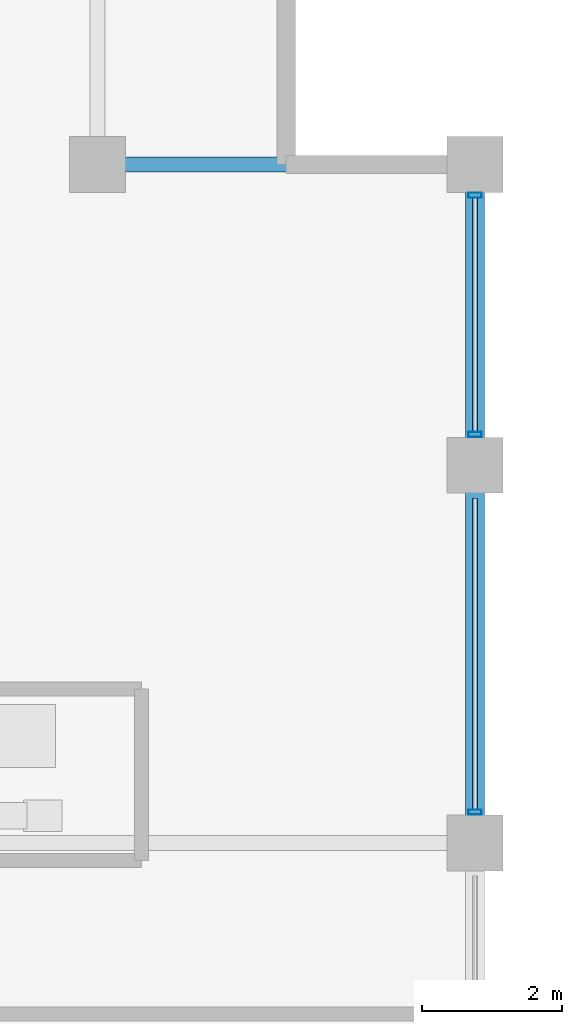
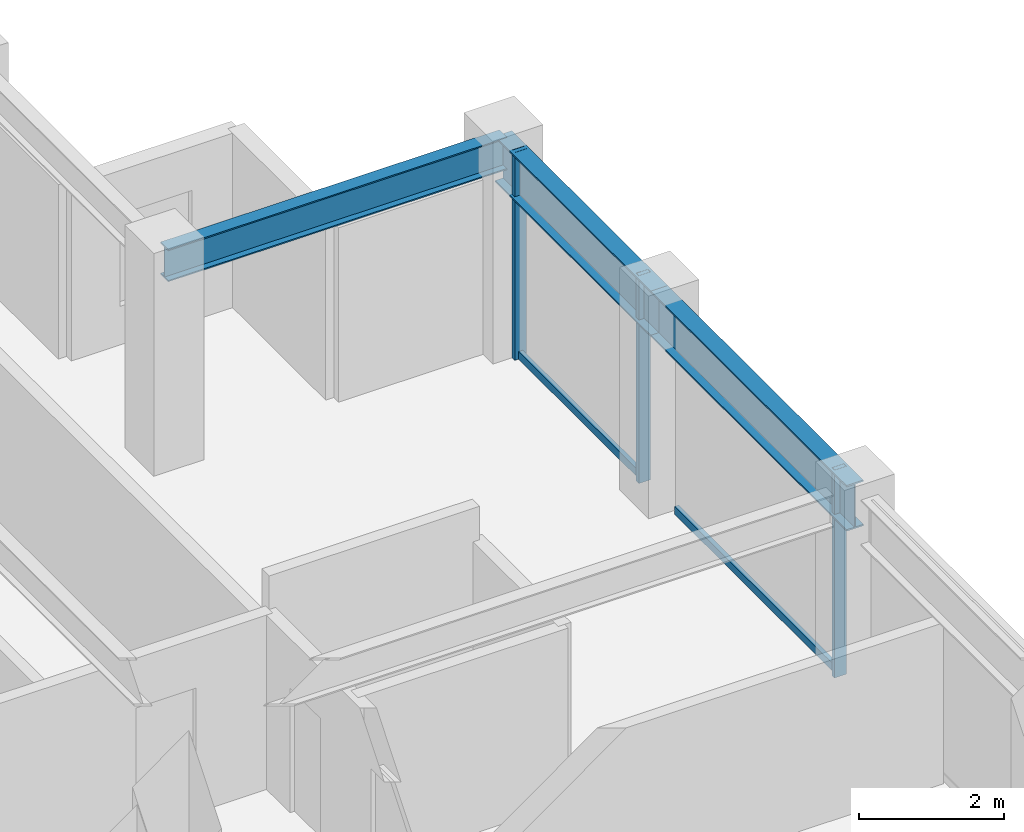
# One storey, part 20 of 28: 5 members, 3 beams, 1 element without a shape of its own.
"""IFC4 building model written with IfcOpenShell, lengths in metres."""

from ifc_helpers import new_model, si_unit, direction, frame, origin, origin_2d, place, context, subcontext, project, spatial, hollow_rectangle, i_section, extrude, material, layer, layer_set, material_profile, profile_set, type_object, element, aggregate, save


model = new_model("IFC4")

# Units and contexts
model_context = context("Model", 3, precision=1e-05, world=origin(), true_north=direction((0.0, 1.0)))
body_context = subcontext(model_context, "Body", "Model", "MODEL_VIEW")
ifc_project = project(units=[si_unit("LENGTHUNIT", "METRE"), si_unit("AREAUNIT", "SQUARE_METRE"), si_unit("VOLUMEUNIT", "CUBIC_METRE"), si_unit("PLANEANGLEUNIT", "RADIAN"), si_unit("MASSUNIT", "GRAM", prefix="KILO")], contexts=[model_context])

# Site, building, storey
site_placement = place(None, origin())
site = spatial("IfcSite", under=ifc_project, at=site_placement, CompositionType="ELEMENT")
building_placement = place(site_placement, origin())
building = spatial("IfcBuilding", under=site, at=building_placement, Name="Surkhivell Harbour Commons", CompositionType="ELEMENT")
storey_placement = place(building_placement, frame((0.0, 0.0, 246.0)))
storey = spatial("IfcBuildingStorey", under=building, at=storey_placement, Name="L64", CompositionType="ELEMENT", Elevation=246.0)

# Beams
ifc_material_1 = material(Name="Steel S355", Category="steel")
ifc_material_profile_1 = material_profile(ifc_material_1, i_section(OverallWidth=0.2119140625, OverallDepth=0.5439453125, WebThickness=0.0126953125, FlangeThickness=0.021240234375, at=origin_2d()), Name="UB533x210x122")
ifc_profile_set_1 = profile_set([ifc_material_profile_1], Name="Steel S355")
beam_type_1 = type_object("IfcBeamType", Name="BM-GRD-533A", PredefinedType="BEAM", material=ifc_profile_set_1)
beam_1_placement = place(storey_placement, frame((16.199951171875, 20.5, 3.22802734375), z_axis=(1.0, 0.0, 0.0), x_axis=(0.0, 1.0, 0.0)))
element("IfcBeam", 1, at=beam_1_placement, inside=storey, type_object=beam_type_1, Name="L64 Floor Girder (16.2,20.5)", PredefinedType="BEAM", context=body_context, shape_type="SweptSolid", body=[
    extrude(i_section(OverallWidth=0.2119140625, OverallDepth=0.5439453125, WebThickness=0.0126953125, FlangeThickness=0.021240234375, at=origin_2d()), origin(), (0.0, 0.0, 1.0), 5.400146484375),
])
ifc_material_profile_2 = material_profile(ifc_material_1, i_section(OverallWidth=0.26806640625, OverallDepth=0.77001953125, WebThickness=0.015625, FlangeThickness=0.025390625, at=origin_2d()), Name="UB762x267x197")
ifc_profile_set_2 = profile_set([ifc_material_profile_2], Name="Steel S355")
beam_type_2 = type_object("IfcBeamType", Name="BM-SPN-762", PredefinedType="SPANDREL", material=ifc_profile_set_2)
beam_2_placement = place(storey_placement, frame((21.60009765625, 10.800048828125, 3.114990234375), z_axis=(0.0, 1.0, 0.0), x_axis=(-1.0, 0.0, 0.0)))
element("IfcBeam", 2, at=beam_2_placement, inside=storey, type_object=beam_type_2, Name="L64 Tube Spandrel (21.6,10.8)", PredefinedType="SPANDREL", context=body_context, shape_type="SweptSolid", body=[
    extrude(i_section(OverallWidth=0.26806640625, OverallDepth=0.77001953125, WebThickness=0.015625, FlangeThickness=0.025390625, at=origin_2d()), origin(), (0.0, 0.0, 1.0), 5.39990234375),
])
beam_3_placement = place(storey_placement, frame((21.60009765625, 16.199951171875, 3.114990234375), z_axis=(0.0, 1.0, 0.0), x_axis=(-1.0, 0.0, 0.0)))
element("IfcBeam", 3, at=beam_3_placement, inside=storey, type_object=beam_type_2, Name="L64 Tube Spandrel (21.6,16.2)", PredefinedType="SPANDREL", context=body_context, shape_type="SweptSolid", body=[
    extrude(i_section(OverallWidth=0.26806640625, OverallDepth=0.77001953125, WebThickness=0.015625, FlangeThickness=0.025390625, at=origin_2d()), origin(), (0.0, 0.0, 1.0), 4.300048828125),
])

# Curtain wall, members
ifc_material_2 = material(Name="Anodised pale-metal aluminium and insulated glazing", Category="aluminium")
ifc_layer = layer(ifc_material_2, 0.18994140625)
ifc_layer_set = layer_set([ifc_layer], Name="Anodised pale-metal aluminium and insulated glazing")
curtain_wall_type = type_object("IfcCurtainWallType", Name="CW-SYS-Z3", PredefinedType="NOTDEFINED", material=ifc_layer_set)
curtain_wall_placement = place(storey_placement, origin())
curtain_wall = element("IfcCurtainWall", 4, at=curtain_wall_placement, inside=storey, type_object=curtain_wall_type, Name="L64 Curtain Wall CW-L64-E02R2", PredefinedType="NOTDEFINED")
ifc_material_3 = material(Name="Anodised pale-metal aluminium alloy 6063-T6", Category="aluminium")
ifc_material_profile_3 = material_profile(ifc_material_3, hollow_rectangle(XDim=0.074951171875, YDim=0.18994140625, WallThickness=0.00390625, at=origin_2d()), Name="ALU-MULL-75x190")
ifc_profile_set_3 = profile_set([ifc_material_profile_3], Name="Anodised pale-metal aluminium alloy 6063-T6")
member_type_1 = type_object("IfcMemberType", Name="CWM-190", PredefinedType="MULLION", material=ifc_profile_set_3)
member_1_placement = place(storey_placement, frame((21.60009765625, 11.239501953125, 0.0), z_axis=(0.0, 0.0, 1.0), x_axis=(0.0, 1.0, 0.0)))
member_1 = element("IfcMember", 5, at=member_1_placement, type_object=member_type_1, Name="CW-Z3 mullion 2", PredefinedType="MULLION", context=body_context, shape_type="SweptSolid", body=[
    extrude(hollow_rectangle(XDim=0.074951171875, YDim=0.18994140625, WallThickness=0.00390625, at=origin_2d()), origin(), (0.0, 0.0, 1.0), 3.5),
])
member_2_placement = place(storey_placement, frame((21.60009765625, 16.639404296875, 0.0), z_axis=(0.0, 0.0, 1.0), x_axis=(0.0, 1.0, 0.0)))
member_2 = element("IfcMember", 6, at=member_2_placement, type_object=member_type_1, Name="CW-Z3 mullion 3", PredefinedType="MULLION", context=body_context, shape_type="SweptSolid", body=[
    extrude(hollow_rectangle(XDim=0.074951171875, YDim=0.18994140625, WallThickness=0.00390625, at=origin_2d()), origin(), (0.0, 0.0, 1.0), 3.5),
])
member_3_placement = place(storey_placement, frame((21.60009765625, 20.060546875, 0.0), z_axis=(0.0, 0.0, 1.0), x_axis=(0.0, 1.0, 0.0)))
member_3 = element("IfcMember", 7, at=member_3_placement, type_object=member_type_1, Name="CW-Z3 mullion 4", PredefinedType="MULLION", context=body_context, shape_type="SweptSolid", body=[
    extrude(hollow_rectangle(XDim=0.074951171875, YDim=0.18994140625, WallThickness=0.00390625, at=origin_2d()), origin(), (0.0, 0.0, 1.0), 3.5),
])
ifc_material_4 = material(Name="Champagne anodised aluminium alloy 6063-T6", Category="aluminium")
ifc_material_profile_4 = material_profile(ifc_material_4, hollow_rectangle(XDim=0.070068359375, YDim=0.1298828125, WallThickness=0.00341796875, at=origin_2d()), Name="ALU-TRAN-70x130")
ifc_profile_set_4 = profile_set([ifc_material_profile_4], Name="Champagne anodised aluminium alloy 6063-T6")
member_type_2 = type_object("IfcMemberType", Name="CWT-130", PredefinedType="USERDEFINED", material=ifc_profile_set_4)
member_4_placement = place(storey_placement, frame((21.60009765625, 11.277099609375, 0.06494140625), z_axis=(0.0, 1.0, 0.0), x_axis=(-1.0, 0.0, 0.0)))
member_4 = element("IfcMember", 8, at=member_4_placement, type_object=member_type_2, Name="CW-Z3 transom 2.1", ObjectType="TRANSOM", PredefinedType="USERDEFINED", context=body_context, shape_type="SweptSolid", body=[
    extrude(hollow_rectangle(XDim=0.070068359375, YDim=0.1298828125, WallThickness=0.00341796875, at=origin_2d()), origin(), (0.0, 0.0, 1.0), 4.44580078125),
])
member_5_placement = place(storey_placement, frame((21.60009765625, 16.677001953125, 0.06494140625), z_axis=(0.0, 1.0, 0.0), x_axis=(-1.0, 0.0, 0.0)))
member_5 = element("IfcMember", 9, at=member_5_placement, type_object=member_type_2, Name="CW-Z3 transom 3.1", ObjectType="TRANSOM", PredefinedType="USERDEFINED", context=body_context, shape_type="SweptSolid", body=[
    extrude(hollow_rectangle(XDim=0.070068359375, YDim=0.1298828125, WallThickness=0.00341796875, at=origin_2d()), origin(), (0.0, 0.0, 1.0), 3.345947265625),
])
aggregate(curtain_wall, [member_1, member_4, member_2, member_3, member_5])

save(model, "model.ifc")
